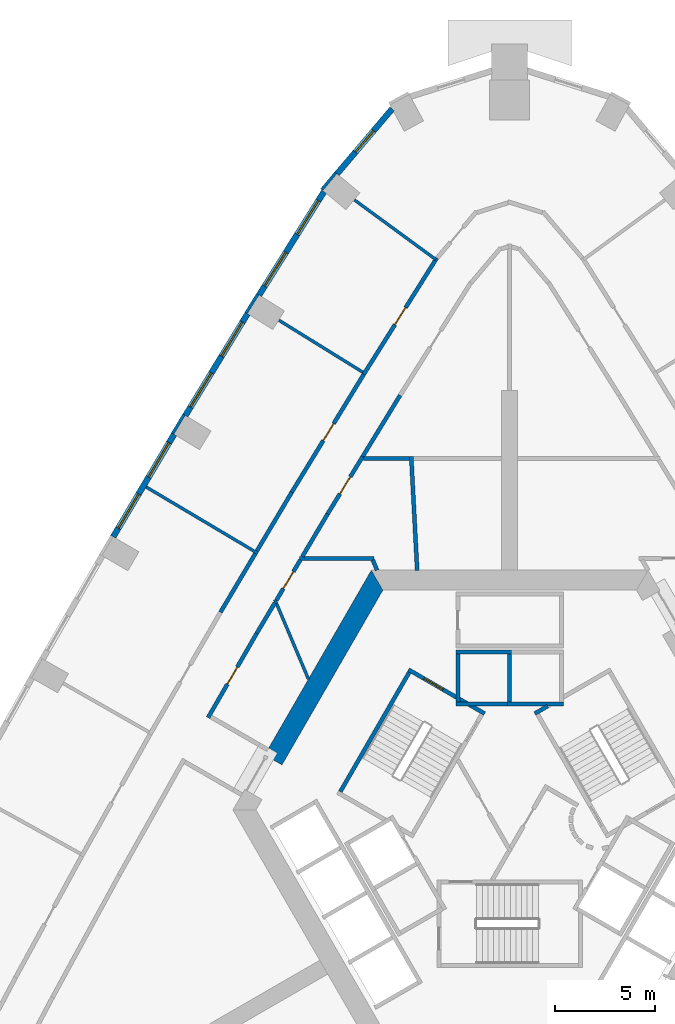
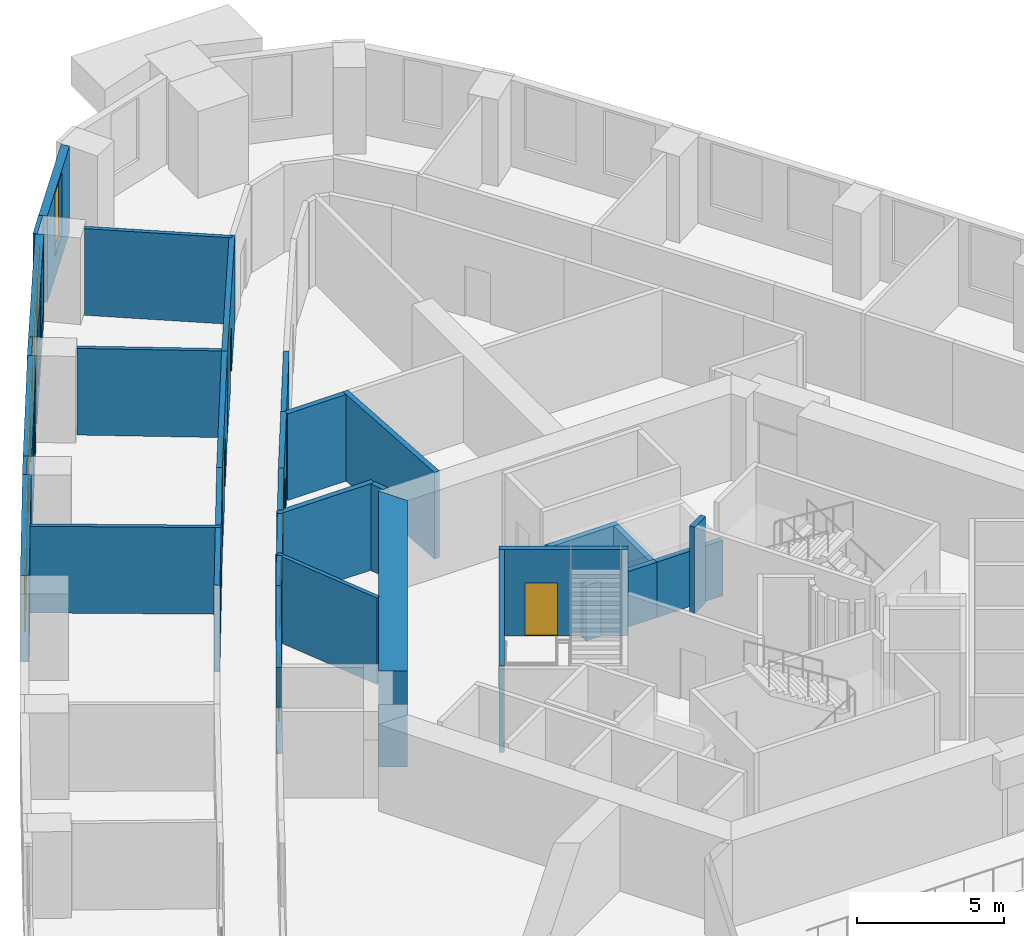
# One storey, part 8 of 14: 34 walls, 7 windows, 6 doors, 13 openings.
"""IFC4 building model written with IfcOpenShell, lengths in metres."""

from ifc_helpers import new_model, si_unit, direction, frame, frame_2d, origin, place, context, subcontext, project, spatial, polyline, rectangle, outline, extrude, material, layer, layer_set, type_object, element, fill, save


model = new_model("IFC4")

# Units and contexts
model_context = context("Model", 3, precision=1e-05, world=origin(), true_north=direction((0.0, 1.0)))
body_context = subcontext(model_context, "Body", "Model", "MODEL_VIEW")
ifc_project = project(units=[si_unit("LENGTHUNIT", "METRE"), si_unit("AREAUNIT", "SQUARE_METRE"), si_unit("VOLUMEUNIT", "CUBIC_METRE"), si_unit("PLANEANGLEUNIT", "RADIAN"), si_unit("MASSUNIT", "GRAM", prefix="KILO")], contexts=[model_context])

# Site, building, storey
site_placement = place(None, origin())
site = spatial("IfcSite", under=ifc_project, at=site_placement, CompositionType="ELEMENT")
building_placement = place(site_placement, origin())
building = spatial("IfcBuilding", under=site, at=building_placement, Name="Entoto Arch Interchange Tower", CompositionType="ELEMENT")
storey_placement = place(building_placement, frame((0.0, 0.0, 180.199951171875)))
storey = spatial("IfcBuildingStorey", under=building, at=storey_placement, Name="L40", CompositionType="ELEMENT", Elevation=180.199951171875)

# Walls
ifc_material_1 = material(Name="Concrete C50/60", Category="concrete")
ifc_layer_1 = layer(ifc_material_1, 1.0)
ifc_layer_set_1 = layer_set([ifc_layer_1], Name="Concrete C50/60")
wall_type_1 = type_object("IfcWallType", Name="Core wall 1000 C50/60", PredefinedType="SHEAR", material=ifc_layer_set_1)
wall_1_placement = place(storey_placement, frame((0.0, 0.0, -0.39990234375)))
element("IfcWall", 1, at=wall_1_placement, inside=storey, type_object=wall_type_1, Name="Core wall NW L40", PredefinedType="SHEAR", context=body_context, shape_type="SweptSolid", body=[
    extrude(outline(polyline([(-12.26708984375, 5.251953125), (-11.402099609375, 4.751953125), (-6.35107421875, 13.5), (-6.927978515625, 14.5), (-12.26708984375, 5.251953125)])), origin(), (0.0, 0.0, 1.0), 4.0),
])
ifc_material_2 = material(Name="Concrete C40/50", Category="concrete")
ifc_layer_2 = layer(ifc_material_2, 0.199951171875)
ifc_layer_set_2 = layer_set([ifc_layer_2], Name="Concrete C40/50")
wall_type_2 = type_object("IfcWallType", Name="LIFT SHAFT WALL 200", PredefinedType="STANDARD", material=ifc_layer_set_2)
wall_2_placement = place(storey_placement, frame((2.699951171875, 7.800048828125, 0.0), z_axis=(0.0, 0.0, 1.0), x_axis=(-1.0, 0.0, 0.0)))
element("IfcWall", 2, at=wall_2_placement, inside=storey, type_object=wall_type_2, Name="Pit wall HR1 1", PredefinedType="STANDARD", context=body_context, shape_type="SweptSolid", body=[
    extrude(rectangle(XDim=2.800048828125, YDim=0.199951171875, at=frame_2d((1.39990234375, 0.0))), origin(), (0.0, 0.0, 1.0), 2.300048828125),
])
wall_3_placement = place(storey_placement, frame((0.0, 7.89990234375, 0.0), z_axis=(0.0, 0.0, 1.0), x_axis=(0.0, 1.0, 0.0)))
element("IfcWall", 3, at=wall_3_placement, inside=storey, type_object=wall_type_2, Name="Pit wall HR1 4", PredefinedType="STANDARD", context=body_context, shape_type="SweptSolid", body=[
    extrude(rectangle(XDim=2.400146484375, YDim=0.199951171875, at=frame_2d((1.2001953125, 0.0))), origin(), (0.0, 0.0, 1.0), 2.300048828125),
])
for number, where, z_axis, x_axis, name in (
    (4, (0.10009765625, 7.800048828125, 0.0), (0.0, 0.0, 1.0), (-1.0, 0.0, 0.0), "Pit wall HR2 1"),
    (5, (0.10009765625, 10.39990234375, 0.0), (0.0, 0.0, 1.0), (-1.0, 0.0, 0.0), "Pit wall HR2 2"),
):
    element("IfcWall", number, at=place(storey_placement, frame(where, z_axis=z_axis, x_axis=x_axis)), inside=storey, type_object=wall_type_2, Name=name, PredefinedType="STANDARD", context=body_context, shape_type="SweptSolid", body=[
        extrude(rectangle(XDim=2.800048828125, YDim=0.199951171875, at=frame_2d((1.39990234375, 0.0))), origin(), (0.0, 0.0, 1.0), 2.300048828125),
    ])
wall_4_placement = place(storey_placement, frame((-2.60009765625, 7.89990234375, 0.0), z_axis=(0.0, 0.0, 1.0), x_axis=(0.0, 1.0, 0.0)))
element("IfcWall", 6, at=wall_4_placement, inside=storey, type_object=wall_type_2, Name="Pit wall HR2 4", PredefinedType="STANDARD", context=body_context, shape_type="SweptSolid", body=[
    extrude(rectangle(XDim=2.400146484375, YDim=0.199951171875, at=frame_2d((1.2001953125, 0.0))), origin(), (0.0, 0.0, 1.0), 2.300048828125),
])
ifc_material_3 = material(Name="Gypsum board partition on steel studs", Category="steel")
ifc_layer_3 = layer(ifc_material_3, 0.14990234375)
ifc_layer_set_3 = layer_set([ifc_layer_3], Name="Gypsum board partition on steel studs")
wall_type_3 = type_object("IfcWallType", Name="PARTITION 150", PredefinedType="PARTITIONING", material=ifc_layer_set_3)
wall_5_placement = place(storey_placement, frame((-10.075927734375, 9.047119140625, 0.0), z_axis=(0.0, 0.0, 1.0), x_axis=(-0.389223462263, 0.921143363665, 0.0)))
element("IfcWall", 7, at=wall_5_placement, inside=storey, type_object=wall_type_3, Name="wall:L40:p082", PredefinedType="PARTITIONING", context=body_context, shape_type="SweptSolid", body=[
    extrude(rectangle(XDim=4.32177734375, YDim=0.14990234375, at=frame_2d((2.160888671875, 0.0))), origin(), (0.0, 0.0, 1.0), 3.60009765625),
])
wall_6_placement = place(storey_placement, frame((-3.698974609375, 30.05810546875, 0.0), z_axis=(0.0, 0.0, 1.0), x_axis=(-0.806852521394, 0.59075291681, 0.0)))
element("IfcWall", 8, at=wall_6_placement, inside=storey, type_object=wall_type_3, Name="wall:L40:p120", PredefinedType="PARTITIONING", context=body_context, shape_type="SweptSolid", body=[
    extrude(rectangle(XDim=5.04443359375, YDim=0.14990234375, at=frame_2d((2.522216796875, 0.0))), origin(), (0.0, 0.0, 1.0), 3.60009765625),
])
wall_7_placement = place(storey_placement, frame((-7.35791015625, 24.41796875, 0.0), z_axis=(0.0, 0.0, 1.0), x_axis=(-0.850136365231, 0.526562589358, 0.0)))
element("IfcWall", 9, at=wall_7_placement, inside=storey, type_object=wall_type_3, Name="wall:L40:p121", PredefinedType="PARTITIONING", context=body_context, shape_type="SweptSolid", body=[
    extrude(rectangle(XDim=4.929931640625, YDim=0.14990234375, at=frame_2d((2.46484375, 0.0))), origin(), (0.0, 0.0, 1.0), 3.60009765625),
])
wall_8_placement = place(storey_placement, frame((-12.613037109375, 15.347900390625, 0.0), z_axis=(0.0, 0.0, 1.0), x_axis=(-0.85976815765, 0.510684555368, 0.0)))
element("IfcWall", 10, at=wall_8_placement, inside=storey, type_object=wall_type_3, Name="wall:L40:p122", PredefinedType="PARTITIONING", context=body_context, shape_type="SweptSolid", body=[
    extrude(rectangle(XDim=6.499267578125, YDim=0.14990234375, at=frame_2d((3.24951171875, 0.0))), origin(), (0.0, 0.0, 1.0), 3.60009765625),
])

# Wall, opening, door
ifc_layer_4 = layer(ifc_material_3, 0.199951171875)
ifc_layer_set_4 = layer_set([ifc_layer_4], Name="Gypsum board partition on steel studs")
wall_type_4 = type_object("IfcWallType", Name="PARTITION 200", PredefinedType="PARTITIONING", material=ifc_layer_set_4)
wall_9_placement = place(storey_placement, frame((-10.48388671875, 15.013916015625, 0.0), z_axis=(0.0, 0.0, 1.0), x_axis=(-0.510627855782, -0.859801833506, 0.0)))
wall_9 = element("IfcWall", 11, at=wall_9_placement, inside=storey, type_object=wall_type_4, Name="wall:L40:p001", PredefinedType="PARTITIONING", context=body_context, shape_type="SweptSolid", body=[
    extrude(rectangle(XDim=2.34228515625, YDim=0.199951171875, at=frame_2d((1.171142578125, 0.0))), origin(), (0.0, 0.0, 1.0), 3.60009765625),
])
opening_1_placement = place(wall_9_placement, frame((0.6708984375, 0.0, 0.0)))
opening_1 = element("IfcOpeningElement", 12, at=opening_1_placement, cuts=wall_9, Name="Opening L40-D28", PredefinedType="OPENING", context=body_context, shape_type="SweptSolid", body=[
    extrude(rectangle(XDim=1.0, YDim=2.10009765625, at=frame_2d((0.5, 1.050048828125))), frame((0.0, 0.10986328125, 0.0), z_axis=(0.0, -1.0, 0.0), x_axis=(1.0, 0.0, 0.0)), (0.0, 0.0, 1.0), 0.219970703125),
])
ifc_material_4 = material(Name="Timber door leaf in Steel S235 frame", Category="steel")
door_type_1 = type_object("IfcDoorType", Name="DOOR DS-10 1000x2100", OperationType="SINGLE_SWING_LEFT", PredefinedType="DOOR", material=ifc_material_4)
door_1_placement = place(opening_1_placement, origin())
door_1 = element("IfcDoor", 13, at=door_1_placement, inside=storey, type_object=door_type_1, Name="door:L40:28", OperationType="SINGLE_SWING_LEFT", OverallHeight=2.10009765625, OverallWidth=1.0, PredefinedType="DOOR", context=body_context, shape_type="SweptSolid", body=[
    extrude(rectangle(XDim=1.0, YDim=2.10009765625, at=frame_2d((0.5, 1.050048828125))), frame((0.0, 0.02490234375, 0.0), z_axis=(0.0, -1.0, 0.0), x_axis=(1.0, 0.0, 0.0)), (0.0, 0.0, 1.0), 0.050048828125),
])
fill(opening_1, door_1)

# Wall
wall_10_placement = place(storey_placement, frame((-11.757080078125, 12.87109375, 0.0), z_axis=(0.0, 0.0, 1.0), x_axis=(-0.510614478889, -0.85980977777, 0.0)))
element("IfcWall", 14, at=wall_10_placement, inside=storey, type_object=wall_type_4, Name="wall:L40:p002", PredefinedType="PARTITIONING", context=body_context, shape_type="SweptSolid", body=[
    extrude(rectangle(XDim=1.787841796875, YDim=0.199951171875, at=frame_2d((0.89404296875, 0.0))), origin(), (0.0, 0.0, 1.0), 3.60009765625),
])

# Wall, opening, door
wall_11_placement = place(storey_placement, frame((-12.669921875, 11.333984375, 0.0), z_axis=(0.0, 0.0, 1.0), x_axis=(-0.500035159864, -0.866005103276, 0.0)))
wall_11 = element("IfcWall", 15, at=wall_11_placement, inside=storey, type_object=wall_type_4, Name="wall:L40:p003", PredefinedType="PARTITIONING", context=body_context, shape_type="SweptSolid", body=[
    extrude(rectangle(XDim=4.865966796875, YDim=0.199951171875, at=frame_2d((2.43310546875, 0.0))), origin(), (0.0, 0.0, 1.0), 3.60009765625),
])
opening_2_placement = place(wall_11_placement, frame((1.93310546875, 0.0, 0.0)))
opening_2 = element("IfcOpeningElement", 16, at=opening_2_placement, cuts=wall_11, Name="Opening L40-D29", PredefinedType="OPENING", context=body_context, shape_type="SweptSolid", body=[
    extrude(rectangle(XDim=1.0, YDim=2.10009765625, at=frame_2d((0.5, 1.050048828125))), frame((0.0, 0.10986328125, 0.0), z_axis=(0.0, -1.0, 0.0), x_axis=(1.0, 0.0, 0.0)), (0.0, 0.0, 1.0), 0.219970703125),
])
door_2_placement = place(opening_2_placement, origin())
door_2 = element("IfcDoor", 17, at=door_2_placement, inside=storey, type_object=door_type_1, Name="door:L40:29", OperationType="SINGLE_SWING_LEFT", OverallHeight=2.10009765625, OverallWidth=1.0, PredefinedType="DOOR", context=body_context, shape_type="SweptSolid", body=[
    extrude(rectangle(XDim=1.0, YDim=2.10009765625, at=frame_2d((0.5, 1.050048828125))), frame((0.0, 0.02490234375, 0.0), z_axis=(0.0, -1.0, 0.0), x_axis=(1.0, 0.0, 0.0)), (0.0, 0.0, 1.0), 0.050048828125),
])
fill(opening_2, door_2)

wall_12_placement = place(storey_placement, frame((-7.364990234375, 20.18505859375, 0.0), z_axis=(0.0, 0.0, 1.0), x_axis=(-0.521352973407, -0.853341125881, 0.0)))
wall_12 = element("IfcWall", 18, at=wall_12_placement, inside=storey, type_object=wall_type_4, Name="wall:L40:p010", PredefinedType="PARTITIONING", context=body_context, shape_type="SweptSolid", body=[
    extrude(rectangle(XDim=3.358642578125, YDim=0.199951171875, at=frame_2d((1.67919921875, 0.0))), origin(), (0.0, 0.0, 1.0), 3.60009765625),
])
opening_3_placement = place(wall_12_placement, frame((1.179931640625, 0.0, 0.0)))
opening_3 = element("IfcOpeningElement", 19, at=opening_3_placement, cuts=wall_12, Name="Opening L40-D24", PredefinedType="OPENING", context=body_context, shape_type="SweptSolid", body=[
    extrude(rectangle(XDim=1.0, YDim=2.10009765625, at=frame_2d((0.5, 1.050048828125))), frame((0.0, 0.10986328125, 0.0), z_axis=(0.0, -1.0, 0.0), x_axis=(1.0, 0.0, 0.0)), (0.0, 0.0, 1.0), 0.219970703125),
])
door_3_placement = place(opening_3_placement, origin())
door_3 = element("IfcDoor", 20, at=door_3_placement, inside=storey, type_object=door_type_1, Name="door:L40:24", OperationType="SINGLE_SWING_LEFT", OverallHeight=2.10009765625, OverallWidth=1.0, PredefinedType="DOOR", context=body_context, shape_type="SweptSolid", body=[
    extrude(rectangle(XDim=1.0, YDim=2.10009765625, at=frame_2d((0.5, 1.050048828125))), frame((0.0, 0.02490234375, 0.0), z_axis=(0.0, -1.0, 0.0), x_axis=(1.0, 0.0, 0.0)), (0.0, 0.0, 1.0), 0.050048828125),
])
fill(opening_3, door_3)

# Walls
wall_13_placement = place(storey_placement, frame((-9.115966796875, 17.319091796875, 0.0), z_axis=(0.0, 0.0, 1.0), x_axis=(-0.510422773569, -0.859923596735, 0.0)))
element("IfcWall", 21, at=wall_13_placement, inside=storey, type_object=wall_type_4, Name="wall:L40:p011", PredefinedType="PARTITIONING", context=body_context, shape_type="SweptSolid", body=[
    extrude(rectangle(XDim=2.48046875, YDim=0.199951171875, at=frame_2d((1.240234375, 0.0))), origin(), (0.0, 0.0, 1.0), 3.60009765625),
])
wall_14_placement = place(storey_placement, frame((-5.487060546875, 23.260009765625, 0.0), z_axis=(0.0, 0.0, 1.0), x_axis=(-0.521206053955, -0.853430869679, 0.0)))
element("IfcWall", 22, at=wall_14_placement, inside=storey, type_object=wall_type_4, Name="wall:L40:p019", PredefinedType="PARTITIONING", context=body_context, shape_type="SweptSolid", body=[
    extrude(rectangle(XDim=3.60302734375, YDim=0.199951171875, at=frame_2d((1.801513671875, 0.0))), origin(), (0.0, 0.0, 1.0), 3.60009765625),
])

# Wall, opening, door
wall_15_placement = place(storey_placement, frame((-7.31201171875, 24.302001953125, 0.0), z_axis=(0.0, 0.0, 1.0), x_axis=(0.53166241737, 0.846956358944, 0.0)))
wall_15 = element("IfcWall", 23, at=wall_15_placement, inside=storey, type_object=wall_type_4, Name="wall:L40:p062", PredefinedType="PARTITIONING", context=body_context, shape_type="SweptSolid", body=[
    extrude(rectangle(XDim=6.895263671875, YDim=0.199951171875, at=frame_2d((3.44775390625, 0.0))), origin(), (0.0, 0.0, 1.0), 3.60009765625),
])
opening_4_placement = place(wall_15_placement, frame((2.947998046875, 0.0, 0.0)))
opening_4 = element("IfcOpeningElement", 24, at=opening_4_placement, cuts=wall_15, Name="Opening L40-D10", PredefinedType="OPENING", context=body_context, shape_type="SweptSolid", body=[
    extrude(rectangle(XDim=1.0, YDim=2.10009765625, at=frame_2d((0.5, 1.050048828125))), frame((0.0, 0.10986328125, 0.0), z_axis=(0.0, -1.0, 0.0), x_axis=(1.0, 0.0, 0.0)), (0.0, 0.0, 1.0), 0.219970703125),
])
door_4_placement = place(opening_4_placement, origin())
door_4 = element("IfcDoor", 25, at=door_4_placement, inside=storey, type_object=door_type_1, Name="door:L40:10", OperationType="SINGLE_SWING_LEFT", OverallHeight=2.10009765625, OverallWidth=1.0, PredefinedType="DOOR", context=body_context, shape_type="SweptSolid", body=[
    extrude(rectangle(XDim=1.0, YDim=2.10009765625, at=frame_2d((0.5, 1.050048828125))), frame((0.0, 0.02490234375, 0.0), z_axis=(0.0, -1.0, 0.0), x_axis=(1.0, 0.0, 0.0)), (0.0, 0.0, 1.0), 0.050048828125),
])
fill(opening_4, door_4)

# Wall
wall_16_placement = place(storey_placement, frame((-12.659912109375, 15.462890625, 0.0), z_axis=(0.0, 0.0, 1.0), x_axis=(0.510477693133, 0.85989099589, 0.0)))
element("IfcWall", 26, at=wall_16_placement, inside=storey, type_object=wall_type_4, Name="wall:L40:p063", PredefinedType="PARTITIONING", context=body_context, shape_type="SweptSolid", body=[
    extrude(rectangle(XDim=3.418212890625, YDim=0.199951171875, at=frame_2d((1.708984375, 0.0))), origin(), (0.0, 0.0, 1.0), 3.60009765625),
])

# Wall, opening, door
wall_17_placement = place(storey_placement, frame((-10.9150390625, 18.402099609375, 0.0), z_axis=(0.0, 0.0, 1.0), x_axis=(0.521189997761, 0.853440675287, 0.0)))
wall_17 = element("IfcWall", 27, at=wall_17_placement, inside=storey, type_object=wall_type_4, Name="wall:L40:p064", PredefinedType="PARTITIONING", context=body_context, shape_type="SweptSolid", body=[
    extrude(rectangle(XDim=6.9130859375, YDim=0.199951171875, at=frame_2d((3.45654296875, 0.0))), origin(), (0.0, 0.0, 1.0), 3.60009765625),
])
opening_5_placement = place(wall_17_placement, frame((3.031005859375, 0.0, 0.0)))
opening_5 = element("IfcOpeningElement", 28, at=opening_5_placement, cuts=wall_17, Name="Opening L40-D11", PredefinedType="OPENING", context=body_context, shape_type="SweptSolid", body=[
    extrude(rectangle(XDim=1.0, YDim=2.10009765625, at=frame_2d((0.5, 1.050048828125))), frame((0.0, 0.10986328125, 0.0), z_axis=(0.0, -1.0, 0.0), x_axis=(1.0, 0.0, 0.0)), (0.0, 0.0, 1.0), 0.219970703125),
])
door_5_placement = place(opening_5_placement, origin())
door_5 = element("IfcDoor", 29, at=door_5_placement, inside=storey, type_object=door_type_1, Name="door:L40:11", OperationType="SINGLE_SWING_RIGHT", OverallHeight=2.10009765625, OverallWidth=1.0, PredefinedType="DOOR", context=body_context, shape_type="SweptSolid", body=[
    extrude(rectangle(XDim=1.0, YDim=2.10009765625, at=frame_2d((0.5, 1.050048828125))), frame((0.0, 0.02490234375, 0.0), z_axis=(0.0, -1.0, 0.0), x_axis=(1.0, 0.0, 0.0)), (0.0, 0.0, 1.0), 0.050048828125),
])
fill(opening_5, door_5)

# Walls
wall_18_placement = place(storey_placement, frame((-14.48193359375, 12.39501953125, 0.0), z_axis=(0.0, 0.0, 1.0), x_axis=(0.51050904729, 0.859872381598, 0.0)))
element("IfcWall", 30, at=wall_18_placement, inside=storey, type_object=wall_type_4, Name="wall:L40:p066", PredefinedType="PARTITIONING", context=body_context, shape_type="SweptSolid", body=[
    extrude(rectangle(XDim=3.41796875, YDim=0.199951171875, at=frame_2d((1.708984375, 0.0))), origin(), (0.0, 0.0, 1.0), 3.60009765625),
])
wall_19_placement = place(storey_placement, frame((-6.7919921875, 15.10009765625, 0.0), z_axis=(0.0, 0.0, 1.0), x_axis=(-1.0, 0.0, 0.0)))
element("IfcWall", 31, at=wall_19_placement, inside=storey, type_object=wall_type_4, Name="wall:L40:p083", PredefinedType="PARTITIONING", context=body_context, shape_type="SweptSolid", body=[
    extrude(rectangle(XDim=3.740966796875, YDim=0.199951171875, at=frame_2d((1.87060546875, 0.0))), origin(), (0.0, 0.0, 1.0), 3.60009765625),
])
wall_20_placement = place(storey_placement, frame((-6.638916015625, 14.5, 0.0), z_axis=(0.0, 0.0, 1.0), x_axis=(-0.388353930402, 0.921510295516, 0.0)))
element("IfcWall", 32, at=wall_20_placement, inside=storey, type_object=wall_type_4, Name="wall:L40:p084", PredefinedType="PARTITIONING", context=body_context, shape_type="SweptSolid", body=[
    extrude(rectangle(XDim=0.55126953125, YDim=0.199951171875, at=frame_2d((0.275634765625, 0.0))), origin(), (0.0, 0.0, 1.0), 3.60009765625),
])
wall_21_placement = place(storey_placement, frame((-4.632080078125, 14.488037109375, 0.0), z_axis=(0.0, 0.0, 1.0), x_axis=(-0.052074913706, 0.998643181203, 0.0)))
element("IfcWall", 33, at=wall_21_placement, inside=storey, type_object=wall_type_4, Name="wall:L40:p103", PredefinedType="PARTITIONING", context=body_context, shape_type="SweptSolid", body=[
    extrude(rectangle(XDim=5.7197265625, YDim=0.199951171875, at=frame_2d((2.85986328125, 0.0))), origin(), (0.0, 0.0, 1.0), 3.60009765625),
])
wall_22_placement = place(storey_placement, frame((-7.31689453125, 20.10009765625, 0.0), z_axis=(0.0, 0.0, 1.0), x_axis=(1.0, 0.0, 0.0)))
element("IfcWall", 34, at=wall_22_placement, inside=storey, type_object=wall_type_4, Name="wall:L40:p106", PredefinedType="PARTITIONING", context=body_context, shape_type="SweptSolid", body=[
    extrude(rectangle(XDim=2.2919921875, YDim=0.199951171875, at=frame_2d((1.14599609375, 0.0))), origin(), (0.0, 0.0, 1.0), 3.60009765625),
])
ifc_layer_5 = layer(ifc_material_2, 0.199951171875)
ifc_layer_set_5 = layer_set([ifc_layer_5], Name="Concrete C40/50")
wall_type_5 = type_object("IfcWallType", Name="STAIR ENCLOSURE WALL 200", PredefinedType="STANDARD", material=ifc_layer_set_5)
wall_23_placement = place(storey_placement, frame((1.256103515625, 7.323974609375, 0.0), z_axis=(0.0, 0.0, 1.0), x_axis=(0.865915093549, 0.500191014278, 0.0)))
element("IfcWall", 35, at=wall_23_placement, inside=storey, type_object=wall_type_5, Name="Stair wall ST-NE far return", PredefinedType="STANDARD", context=body_context, shape_type="SweptSolid", body=[
    extrude(rectangle(XDim=0.751708984375, YDim=0.199951171875, at=frame_2d((0.3759765625, 0.0))), origin(), (0.0, 0.0, 1.0), 3.60009765625),
])

# Wall, opening, door
wall_24_placement = place(storey_placement, frame((-1.256103515625, 7.323974609375, 0.0), z_axis=(0.0, 0.0, 1.0), x_axis=(-0.866046073146, 0.499964197906, 0.0)))
wall_24 = element("IfcWall", 36, at=wall_24_placement, inside=storey, type_object=wall_type_5, Name="Stair wall ST-NW near", PredefinedType="STANDARD", context=body_context, shape_type="SweptSolid", body=[
    extrude(rectangle(XDim=4.400146484375, YDim=0.199951171875, at=frame_2d((2.2001953125, 0.0))), origin(), (0.0, 0.0, 1.0), 3.60009765625),
])
opening_6_placement = place(wall_24_placement, frame((2.39990234375, 0.0, 0.0)))
opening_6 = element("IfcOpeningElement", 37, at=opening_6_placement, cuts=wall_24, Name="Opening SD-ST-NW-L40-E", PredefinedType="OPENING", context=body_context, shape_type="SweptSolid", body=[
    extrude(rectangle(XDim=1.10009765625, YDim=2.199951171875, at=frame_2d((0.550048828125, 1.10009765625))), frame((0.0, 0.10986328125, 0.0), z_axis=(0.0, -1.0, 0.0), x_axis=(1.0, 0.0, 0.0)), (0.0, 0.0, 1.0), 0.219970703125),
])
ifc_material_5 = material(Name="Steel S235", Category="steel")
door_type_2 = type_object("IfcDoorType", Name="STAIR DOOR SD1 1100x2200", OperationType="SINGLE_SWING_LEFT", PredefinedType="DOOR", material=ifc_material_5)
door_6_placement = place(opening_6_placement, origin())
door_6 = element("IfcDoor", 38, at=door_6_placement, inside=storey, type_object=door_type_2, Name="Stair door ST-NW L40 end", OperationType="SINGLE_SWING_LEFT", OverallHeight=2.199951171875, OverallWidth=1.10009765625, PredefinedType="DOOR", context=body_context, shape_type="SweptSolid", body=[
    extrude(rectangle(XDim=1.10009765625, YDim=2.199951171875, at=frame_2d((0.550048828125, 1.10009765625))), frame((0.0, 0.02490234375, 0.0), z_axis=(0.0, -1.0, 0.0), x_axis=(1.0, 0.0, 0.0)), (0.0, 0.0, 1.0), 0.050048828125),
])
fill(opening_6, door_6)

# Wall
wall_25_placement = place(storey_placement, frame((-5.030029296875, 9.387939453125, 0.0), z_axis=(0.0, 0.0, 1.0), x_axis=(-0.499978703459, -0.866037698999, 0.0)))
element("IfcWall", 39, at=wall_25_placement, inside=storey, type_object=wall_type_5, Name="Stair wall ST-NW back", PredefinedType="STANDARD", context=body_context, shape_type="SweptSolid", body=[
    extrude(rectangle(XDim=6.900146484375, YDim=0.199951171875, at=frame_2d((3.4501953125, 0.0))), origin(), (0.0, 0.0, 1.0), 3.60009765625),
])

# Wall, opening, window
ifc_material_6 = material(Name="Welded tuff (ignimbrite) cladding, warm buff", Category="masonry")
ifc_layer_6 = layer(ifc_material_6, 0.300048828125)
ifc_layer_set_6 = layer_set([ifc_layer_6], Name="Welded tuff (ignimbrite) cladding, warm buff")
wall_type_6 = type_object("IfcWallType", Name="STONE INFILL WALL 300", PredefinedType="STANDARD", material=ifc_layer_set_6)
wall_26_placement = place(storey_placement, frame((-5.888916015625, 37.59912109375, 0.0), z_axis=(0.0, 0.0, 1.0), x_axis=(-0.647156077277, -0.76235753531, 0.0)))
wall_26 = element("IfcWall", 40, at=wall_26_placement, inside=storey, type_object=wall_type_6, Name="Facade wall N-04 L40", PredefinedType="STANDARD", context=body_context, shape_type="SweptSolid", body=[
    extrude(rectangle(XDim=4.26171875, YDim=0.300048828125, at=frame_2d((2.130859375, 0.0))), origin(), (0.0, 0.0, 1.0), 3.60009765625),
])
opening_7_placement = place(wall_26_placement, frame((1.430908203125, 0.0, 0.89990234375)))
opening_7 = element("IfcOpeningElement", 41, at=opening_7_placement, cuts=wall_26, Name="Opening WO-B", PredefinedType="OPENING", context=body_context, shape_type="SweptSolid", body=[
    extrude(rectangle(XDim=1.39990234375, YDim=2.60009765625, at=frame_2d((0.699951171875, 1.300048828125))), frame((0.0, 0.16015625, 0.0), z_axis=(0.0, -1.0, 0.0), x_axis=(1.0, 0.0, 0.0)), (0.0, 0.0, 1.0), 0.320068359375),
])
ifc_material_7 = material(Name="Clear glass, low-e double glazed", Category="glass")
window_type_1 = type_object("IfcWindowType", Name="WINDOW WO-B 1400x2600", PartitioningType="DOUBLE_PANEL_VERTICAL", PredefinedType="WINDOW", material=ifc_material_7)
window_1_placement = place(opening_7_placement, origin())
window_1 = element("IfcWindow", 42, at=window_1_placement, inside=storey, type_object=window_type_1, Name="Window WO-B N-04 L40", OverallHeight=2.60009765625, OverallWidth=1.39990234375, PartitioningType="SINGLE_PANEL", PredefinedType="WINDOW", context=body_context, shape_type="SweptSolid", body=[
    extrude(rectangle(XDim=1.39990234375, YDim=2.60009765625, at=frame_2d((0.699951171875, 1.300048828125))), frame((0.0, 0.030029296875, 0.0), z_axis=(0.0, -1.0, 0.0), x_axis=(1.0, 0.0, 0.0)), (0.0, 0.0, 1.0), 0.06005859375),
])
fill(opening_7, window_1)

# Wall, openings, windows
wall_27_placement = place(storey_placement, frame((-9.2958984375, 33.4609375, 0.0), z_axis=(0.0, 0.0, 1.0), x_axis=(-0.531816047834, -0.846859900613, 0.0)))
wall_27 = element("IfcWall", 43, at=wall_27_placement, inside=storey, type_object=wall_type_6, Name="Facade wall NW-01 L40", PredefinedType="STANDARD", context=body_context, shape_type="SweptSolid", body=[
    extrude(rectangle(XDim=6.118896484375, YDim=0.300048828125, at=frame_2d((3.0595703125, 0.0))), origin(), (0.0, 0.0, 1.0), 3.60009765625),
])
opening_8_placement = place(wall_27_placement, frame((0.530029296875, 0.0, 0.89990234375)))
opening_8 = element("IfcOpeningElement", 44, at=opening_8_placement, cuts=wall_27, Name="Opening WO-C", PredefinedType="OPENING", context=body_context, shape_type="SweptSolid", body=[
    extrude(rectangle(XDim=2.0, YDim=2.60009765625, at=frame_2d((1.0, 1.300048828125))), frame((0.0, 0.16015625, 0.0), z_axis=(0.0, -1.0, 0.0), x_axis=(1.0, 0.0, 0.0)), (0.0, 0.0, 1.0), 0.320068359375),
])
opening_9_placement = place(wall_27_placement, frame((3.589111328125, 0.0, 0.89990234375)))
opening_9 = element("IfcOpeningElement", 45, at=opening_9_placement, cuts=wall_27, Name="Opening WO-C", PredefinedType="OPENING", context=body_context, shape_type="SweptSolid", body=[
    extrude(rectangle(XDim=2.0, YDim=2.60009765625, at=frame_2d((1.0, 1.300048828125))), frame((0.0, 0.16015625, 0.0), z_axis=(0.0, -1.0, 0.0), x_axis=(1.0, 0.0, 0.0)), (0.0, 0.0, 1.0), 0.320068359375),
])
window_type_2 = type_object("IfcWindowType", Name="WINDOW WO-C 2000x2600", PartitioningType="DOUBLE_PANEL_VERTICAL", PredefinedType="WINDOW", material=ifc_material_7)
window_2_placement = place(opening_8_placement, origin())
window_2 = element("IfcWindow", 46, at=window_2_placement, inside=storey, type_object=window_type_2, Name="Window WO-C NW-01 L40", OverallHeight=2.60009765625, OverallWidth=2.0, PartitioningType="SINGLE_PANEL", PredefinedType="WINDOW", context=body_context, shape_type="SweptSolid", body=[
    extrude(rectangle(XDim=2.0, YDim=2.60009765625, at=frame_2d((1.0, 1.300048828125))), frame((0.0, 0.030029296875, 0.0), z_axis=(0.0, -1.0, 0.0), x_axis=(1.0, 0.0, 0.0)), (0.0, 0.0, 1.0), 0.06005859375),
])
fill(opening_8, window_2)
window_3_placement = place(opening_9_placement, origin())
window_3 = element("IfcWindow", 47, at=window_3_placement, inside=storey, type_object=window_type_2, Name="Window WO-C NW-01 L40", OverallHeight=2.60009765625, OverallWidth=2.0, PartitioningType="SINGLE_PANEL", PredefinedType="WINDOW", context=body_context, shape_type="SweptSolid", body=[
    extrude(rectangle(XDim=2.0, YDim=2.60009765625, at=frame_2d((1.0, 1.300048828125))), frame((0.0, 0.030029296875, 0.0), z_axis=(0.0, -1.0, 0.0), x_axis=(1.0, 0.0, 0.0)), (0.0, 0.0, 1.0), 0.06005859375),
])
fill(opening_9, window_3)

wall_28_placement = place(storey_placement, frame((-13.1279296875, 27.344970703125, 0.0), z_axis=(0.0, 0.0, 1.0), x_axis=(-0.521263083766, -0.8533960379, 0.0)))
wall_28 = element("IfcWall", 48, at=wall_28_placement, inside=storey, type_object=wall_type_6, Name="Facade wall NW-02 L40", PredefinedType="STANDARD", context=body_context, shape_type="SweptSolid", body=[
    extrude(rectangle(XDim=5.97021484375, YDim=0.300048828125, at=frame_2d((2.985107421875, 0.0))), origin(), (0.0, 0.0, 1.0), 3.60009765625),
])
opening_10_placement = place(wall_28_placement, frame((0.492919921875, 0.0, 0.89990234375)))
opening_10 = element("IfcOpeningElement", 49, at=opening_10_placement, cuts=wall_28, Name="Opening WO-C", PredefinedType="OPENING", context=body_context, shape_type="SweptSolid", body=[
    extrude(rectangle(XDim=2.0, YDim=2.60009765625, at=frame_2d((1.0, 1.300048828125))), frame((0.0, 0.16015625, 0.0), z_axis=(0.0, -1.0, 0.0), x_axis=(1.0, 0.0, 0.0)), (0.0, 0.0, 1.0), 0.320068359375),
])
opening_11_placement = place(wall_28_placement, frame((3.47802734375, 0.0, 0.89990234375)))
opening_11 = element("IfcOpeningElement", 50, at=opening_11_placement, cuts=wall_28, Name="Opening WO-C", PredefinedType="OPENING", context=body_context, shape_type="SweptSolid", body=[
    extrude(rectangle(XDim=2.0, YDim=2.60009765625, at=frame_2d((1.0, 1.300048828125))), frame((0.0, 0.16015625, 0.0), z_axis=(0.0, -1.0, 0.0), x_axis=(1.0, 0.0, 0.0)), (0.0, 0.0, 1.0), 0.320068359375),
])
window_4_placement = place(opening_10_placement, origin())
window_4 = element("IfcWindow", 51, at=window_4_placement, inside=storey, type_object=window_type_2, Name="Window WO-C NW-02 L40", OverallHeight=2.60009765625, OverallWidth=2.0, PartitioningType="SINGLE_PANEL", PredefinedType="WINDOW", context=body_context, shape_type="SweptSolid", body=[
    extrude(rectangle(XDim=2.0, YDim=2.60009765625, at=frame_2d((1.0, 1.300048828125))), frame((0.0, 0.030029296875, 0.0), z_axis=(0.0, -1.0, 0.0), x_axis=(1.0, 0.0, 0.0)), (0.0, 0.0, 1.0), 0.06005859375),
])
fill(opening_10, window_4)
window_5_placement = place(opening_11_placement, origin())
window_5 = element("IfcWindow", 52, at=window_5_placement, inside=storey, type_object=window_type_2, Name="Window WO-C NW-02 L40", OverallHeight=2.60009765625, OverallWidth=2.0, PartitioningType="SINGLE_PANEL", PredefinedType="WINDOW", context=body_context, shape_type="SweptSolid", body=[
    extrude(rectangle(XDim=2.0, YDim=2.60009765625, at=frame_2d((1.0, 1.300048828125))), frame((0.0, 0.030029296875, 0.0), z_axis=(0.0, -1.0, 0.0), x_axis=(1.0, 0.0, 0.0)), (0.0, 0.0, 1.0), 0.06005859375),
])
fill(opening_11, window_5)

wall_29_placement = place(storey_placement, frame((-16.805908203125, 21.30908203125, 0.0), z_axis=(0.0, 0.0, 1.0), x_axis=(-0.510653096173, -0.859786842984, 0.0)))
wall_29 = element("IfcWall", 53, at=wall_29_placement, inside=storey, type_object=wall_type_6, Name="Facade wall NW-03 L40", PredefinedType="STANDARD", context=body_context, shape_type="SweptSolid", body=[
    extrude(rectangle(XDim=5.968994140625, YDim=0.300048828125, at=frame_2d((2.984375, 0.0))), origin(), (0.0, 0.0, 1.0), 3.60009765625),
])
opening_12_placement = place(wall_29_placement, frame((0.491943359375, 0.0, 0.89990234375)))
opening_12 = element("IfcOpeningElement", 54, at=opening_12_placement, cuts=wall_29, Name="Opening WO-C", PredefinedType="OPENING", context=body_context, shape_type="SweptSolid", body=[
    extrude(rectangle(XDim=2.0, YDim=2.60009765625, at=frame_2d((1.0, 1.300048828125))), frame((0.0, 0.16015625, 0.0), z_axis=(0.0, -1.0, 0.0), x_axis=(1.0, 0.0, 0.0)), (0.0, 0.0, 1.0), 0.320068359375),
])
opening_13_placement = place(wall_29_placement, frame((3.47705078125, 0.0, 0.89990234375)))
opening_13 = element("IfcOpeningElement", 55, at=opening_13_placement, cuts=wall_29, Name="Opening WO-C", PredefinedType="OPENING", context=body_context, shape_type="SweptSolid", body=[
    extrude(rectangle(XDim=2.0, YDim=2.60009765625, at=frame_2d((1.0, 1.300048828125))), frame((0.0, 0.16015625, 0.0), z_axis=(0.0, -1.0, 0.0), x_axis=(1.0, 0.0, 0.0)), (0.0, 0.0, 1.0), 0.320068359375),
])
window_6_placement = place(opening_12_placement, origin())
window_6 = element("IfcWindow", 56, at=window_6_placement, inside=storey, type_object=window_type_2, Name="Window WO-C NW-03 L40", OverallHeight=2.60009765625, OverallWidth=2.0, PartitioningType="SINGLE_PANEL", PredefinedType="WINDOW", context=body_context, shape_type="SweptSolid", body=[
    extrude(rectangle(XDim=2.0, YDim=2.60009765625, at=frame_2d((1.0, 1.300048828125))), frame((0.0, 0.030029296875, 0.0), z_axis=(0.0, -1.0, 0.0), x_axis=(1.0, 0.0, 0.0)), (0.0, 0.0, 1.0), 0.06005859375),
])
fill(opening_12, window_6)
window_7_placement = place(opening_13_placement, origin())
window_7 = element("IfcWindow", 57, at=window_7_placement, inside=storey, type_object=window_type_2, Name="Window WO-C NW-03 L40", OverallHeight=2.60009765625, OverallWidth=2.0, PartitioningType="SINGLE_PANEL", PredefinedType="WINDOW", context=body_context, shape_type="SweptSolid", body=[
    extrude(rectangle(XDim=2.0, YDim=2.60009765625, at=frame_2d((1.0, 1.300048828125))), frame((0.0, 0.030029296875, 0.0), z_axis=(0.0, -1.0, 0.0), x_axis=(1.0, 0.0, 0.0)), (0.0, 0.0, 1.0), 0.06005859375),
])
fill(opening_13, window_7)

# Walls
ifc_layer_7 = layer(ifc_material_6, 0.14990234375)
ifc_layer_set_7 = layer_set([ifc_layer_7], Name="Welded tuff (ignimbrite) cladding, warm buff")
wall_type_7 = type_object("IfcWallType", Name="STONE PIER CLADDING 150", PredefinedType="STANDARD", material=ifc_layer_set_7)
wall_30_placement = place(storey_placement, frame((-8.708984375, 34.402099609375, 0.0), z_axis=(0.0, 0.0, 1.0), x_axis=(-0.639092407347, -0.769129959676, 0.0)))
element("IfcWall", 58, at=wall_30_placement, inside=storey, type_object=wall_type_7, Name="Stone pier NW01 L40", PredefinedType="STANDARD", context=body_context, shape_type="SweptSolid", body=[
    extrude(rectangle(XDim=1.10009765625, YDim=0.14990234375, at=frame_2d((0.550048828125, 0.0))), origin(), (0.0, 0.0, 1.0), 3.60009765625),
])
wall_31_placement = place(storey_placement, frame((-12.614013671875, 28.320068359375, 0.0), z_axis=(0.0, 0.0, 1.0), x_axis=(-0.529879262372, -0.848073090782, 0.0)))
element("IfcWall", 59, at=wall_31_placement, inside=storey, type_object=wall_type_7, Name="Stone pier NW02 L40", PredefinedType="STANDARD", context=body_context, shape_type="SweptSolid", body=[
    extrude(rectangle(XDim=1.100341796875, YDim=0.14990234375, at=frame_2d((0.55029296875, 0.0))), origin(), (0.0, 0.0, 1.0), 3.60009765625),
])
wall_32_placement = place(storey_placement, frame((-16.304931640625, 22.291015625, 0.0), z_axis=(0.0, 0.0, 1.0), x_axis=(-0.518178754102, -0.855272341888, 0.0)))
element("IfcWall", 60, at=wall_32_placement, inside=storey, type_object=wall_type_7, Name="Stone pier NW03 L40", PredefinedType="STANDARD", context=body_context, shape_type="SweptSolid", body=[
    extrude(rectangle(XDim=1.10009765625, YDim=0.14990234375, at=frame_2d((0.550048828125, 0.0))), origin(), (0.0, 0.0, 1.0), 3.60009765625),
])

save(model, "model.ifc")
